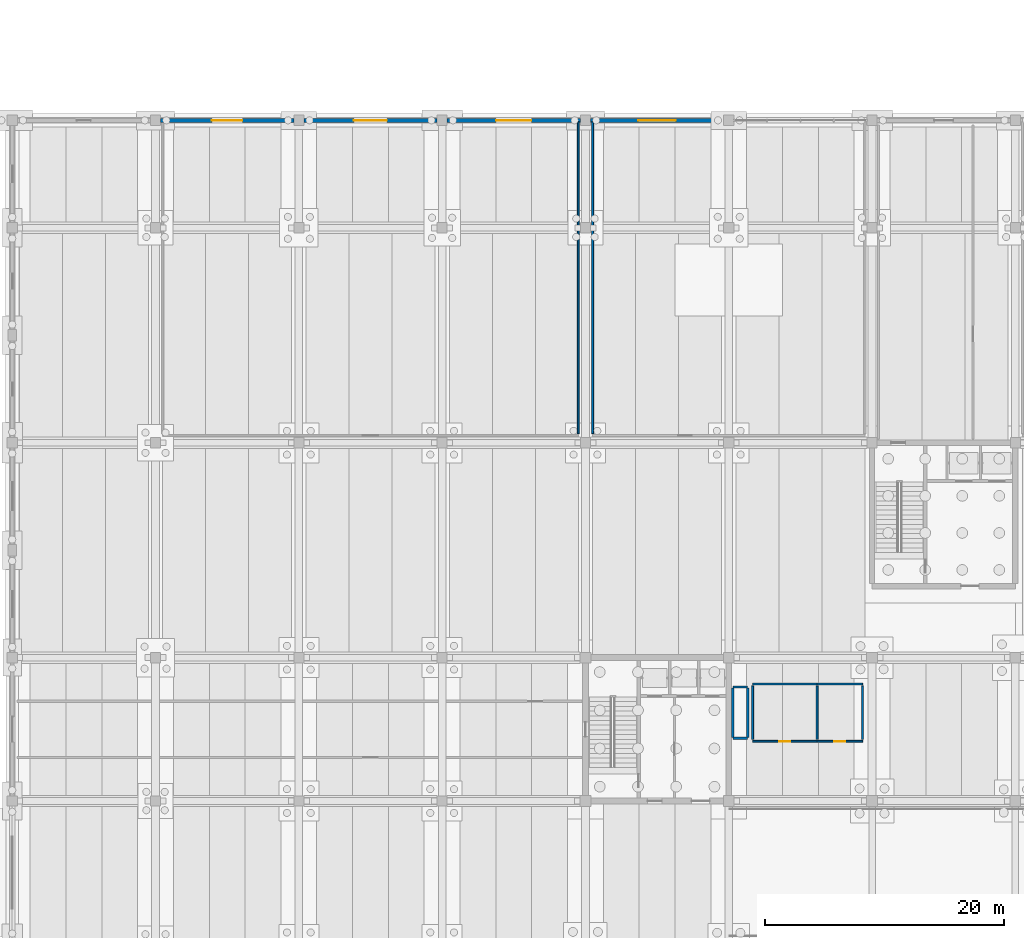
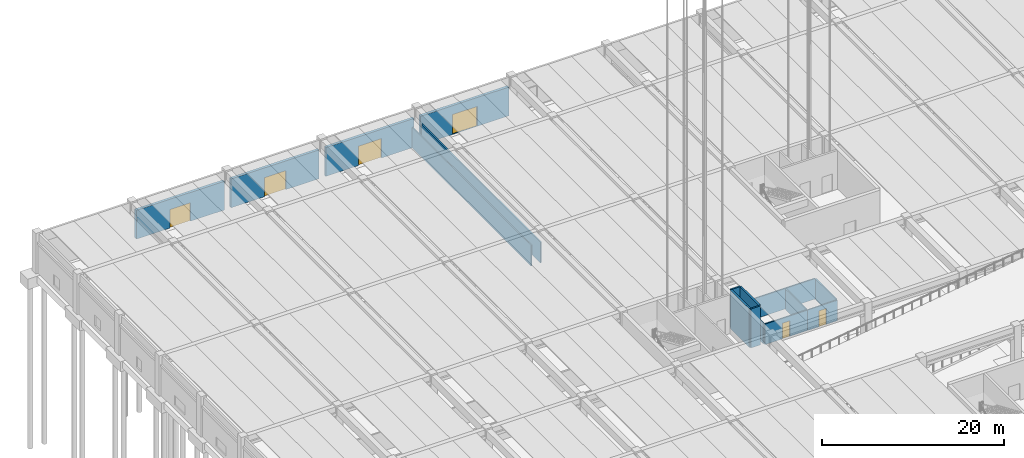
# One storey, part 28 of 59: 17 walls, 6 doors, 6 openings.
"""IFC4 building model written with IfcOpenShell, lengths in metres."""

from ifc_helpers import new_model, si_unit, direction, frame, frame_2d, origin, place, context, subcontext, project, spatial, rectangle, extrude, material, layer, layer_set, type_object, element, fill, save


model = new_model("IFC4")

# Units and contexts
model_context = context("Model", 3, precision=1e-05, world=origin(), true_north=direction((0.0, 1.0)))
body_context = subcontext(model_context, "Body", "Model", "MODEL_VIEW")
ifc_project = project(units=[si_unit("LENGTHUNIT", "METRE"), si_unit("AREAUNIT", "SQUARE_METRE"), si_unit("VOLUMEUNIT", "CUBIC_METRE"), si_unit("PLANEANGLEUNIT", "RADIAN"), si_unit("MASSUNIT", "GRAM", prefix="KILO")], contexts=[model_context])

# Site, building, storey
site_placement = place(None, origin())
site = spatial("IfcSite", under=ifc_project, at=site_placement, CompositionType="ELEMENT")
building_placement = place(site_placement, origin())
building = spatial("IfcBuilding", under=site, at=building_placement, Name="Girod Span Mobility Hub", CompositionType="ELEMENT")
storey_placement = place(building_placement, origin())
storey = spatial("IfcBuildingStorey", under=building, at=storey_placement, Name="L00", CompositionType="ELEMENT", Elevation=0.0)

# Wall, opening, door
ifc_material_1 = material(Name="Precast Architectural Concrete C40/50", Category="concrete")
ifc_layer_1 = layer(ifc_material_1, 0.340087890625)
ifc_layer_set_1 = layer_set([ifc_layer_1], Name="Precast Architectural Concrete C40/50")
wall_type_1 = type_object("IfcWallType", Name="W-EXT-340", PredefinedType="SOLIDWALL", material=ifc_layer_set_1)
wall_1_placement = place(storey_placement, frame((12.423095703125, 114.0, 0.0), z_axis=(0.0, 0.0, 1.0), x_axis=(1.0, 0.0, 0.0)))
wall_1 = element("IfcWall", 1, at=wall_1_placement, inside=storey, type_object=wall_type_1, Name="Exterior Insulated Precast Wall N-2 L00", PredefinedType="SOLIDWALL", context=body_context, shape_type="SweptSolid", body=[
    extrude(rectangle(XDim=11.15380859375, YDim=0.340087890625, at=frame_2d((5.576904296875, 0.0))), origin(), (0.0, 0.0, 1.0), 3.85009765625),
])
opening_1_placement = place(wall_1_placement, frame((4.297119140625, 0.0, 0.0)))
opening_1 = element("IfcOpeningElement", 2, at=opening_1_placement, cuts=wall_1, Name="Opening G-L00-N01", PredefinedType="OPENING", context=body_context, shape_type="SweptSolid", body=[
    extrude(rectangle(XDim=2.56005859375, YDim=2.47998046875, at=frame_2d((1.280029296875, 1.239990234375))), frame((0.0, 0.18505859375, 0.0), z_axis=(0.0, -1.0, 0.0), x_axis=(1.0, 0.0, 0.0)), (0.0, 0.0, 1.0), 0.3701171875),
])
ifc_material_2 = material(Name="Thermally Broken Anodised Aluminium", Category="aluminium")
door_type_1 = type_object("IfcDoorType", Name="DR-EXT-10", OperationType="DOUBLE_DOOR_SINGLE_SWING", PredefinedType="GATE", material=ifc_material_2)
door_1_placement = place(opening_1_placement, origin())
door_1 = element("IfcDoor", 3, at=door_1_placement, inside=storey, type_object=door_type_1, Name="North Greenway Bicycle Hub Gate 1", OperationType="DOUBLE_DOOR_SINGLE_SWING", OverallHeight=2.47998046875, OverallWidth=2.56005859375, PredefinedType="GATE", context=body_context, shape_type="SweptSolid", body=[
    extrude(rectangle(XDim=2.56005859375, YDim=2.47998046875, at=frame_2d((1.280029296875, 1.239990234375))), frame((0.0, 0.02490234375, 0.0), z_axis=(0.0, -1.0, 0.0), x_axis=(1.0, 0.0, 0.0)), (0.0, 0.0, 1.0), 0.050048828125),
])
fill(opening_1, door_1)

wall_2_placement = place(storey_placement, frame((24.423095703125, 114.0, 0.0), z_axis=(0.0, 0.0, 1.0), x_axis=(1.0, 0.0, 0.0)))
wall_2 = element("IfcWall", 4, at=wall_2_placement, inside=storey, type_object=wall_type_1, Name="Exterior Insulated Precast Wall N-3 L00", PredefinedType="SOLIDWALL", context=body_context, shape_type="SweptSolid", body=[
    extrude(rectangle(XDim=11.15380859375, YDim=0.340087890625, at=frame_2d((5.576904296875, 0.0))), origin(), (0.0, 0.0, 1.0), 3.85009765625),
])
opening_2_placement = place(wall_2_placement, frame((4.197021484375, 0.0, 0.0)))
opening_2 = element("IfcOpeningElement", 5, at=opening_2_placement, cuts=wall_2, Name="Opening G-L00-N02", PredefinedType="OPENING", context=body_context, shape_type="SweptSolid", body=[
    extrude(rectangle(XDim=2.760009765625, YDim=2.5400390625, at=frame_2d((1.3798828125, 1.27001953125))), frame((0.0, 0.18505859375, 0.0), z_axis=(0.0, -1.0, 0.0), x_axis=(1.0, 0.0, 0.0)), (0.0, 0.0, 1.0), 0.3701171875),
])
ifc_material_3 = material(Name="Thermally Broken Anodised Aluminium", Category="aluminium")
door_type_2 = type_object("IfcDoorType", Name="DR-EXT-11", OperationType="DOUBLE_DOOR_SINGLE_SWING", PredefinedType="GATE", material=ifc_material_3)
door_2_placement = place(opening_2_placement, origin())
door_2 = element("IfcDoor", 6, at=door_2_placement, inside=storey, type_object=door_type_2, Name="North Greenway Bicycle Hub Gate 2", OperationType="DOUBLE_DOOR_SINGLE_SWING", OverallHeight=2.5400390625, OverallWidth=2.760009765625, PredefinedType="GATE", context=body_context, shape_type="SweptSolid", body=[
    extrude(rectangle(XDim=2.760009765625, YDim=2.5400390625, at=frame_2d((1.3798828125, 1.27001953125))), frame((0.0, 0.02490234375, 0.0), z_axis=(0.0, -1.0, 0.0), x_axis=(1.0, 0.0, 0.0)), (0.0, 0.0, 1.0), 0.050048828125),
])
fill(opening_2, door_2)

wall_3_placement = place(storey_placement, frame((36.423095703125, 114.0, 0.0), z_axis=(0.0, 0.0, 1.0), x_axis=(1.0, 0.0, 0.0)))
wall_3 = element("IfcWall", 7, at=wall_3_placement, inside=storey, type_object=wall_type_1, Name="Exterior Insulated Precast Wall N-4 L00", PredefinedType="SOLIDWALL", context=body_context, shape_type="SweptSolid", body=[
    extrude(rectangle(XDim=11.15380859375, YDim=0.340087890625, at=frame_2d((5.576904296875, 0.0))), origin(), (0.0, 0.0, 1.0), 3.85009765625),
])
opening_3_placement = place(wall_3_placement, frame((4.096923828125, 0.0, 0.0)))
opening_3 = element("IfcOpeningElement", 8, at=opening_3_placement, cuts=wall_3, Name="Opening G-L00-N03", PredefinedType="OPENING", context=body_context, shape_type="SweptSolid", body=[
    extrude(rectangle(XDim=2.9599609375, YDim=2.60009765625, at=frame_2d((1.47998046875, 1.300048828125))), frame((0.0, 0.18505859375, 0.0), z_axis=(0.0, -1.0, 0.0), x_axis=(1.0, 0.0, 0.0)), (0.0, 0.0, 1.0), 0.3701171875),
])
ifc_material_4 = material(Name="Thermally Broken Anodised Aluminium", Category="aluminium")
door_type_3 = type_object("IfcDoorType", Name="DR-EXT-12", OperationType="DOUBLE_DOOR_SINGLE_SWING", PredefinedType="GATE", material=ifc_material_4)
door_3_placement = place(opening_3_placement, origin())
door_3 = element("IfcDoor", 9, at=door_3_placement, inside=storey, type_object=door_type_3, Name="North Greenway Bicycle Hub Gate 3", OperationType="DOUBLE_DOOR_SINGLE_SWING", OverallHeight=2.60009765625, OverallWidth=2.9599609375, PredefinedType="GATE", context=body_context, shape_type="SweptSolid", body=[
    extrude(rectangle(XDim=2.9599609375, YDim=2.60009765625, at=frame_2d((1.47998046875, 1.300048828125))), frame((0.0, 0.02490234375, 0.0), z_axis=(0.0, -1.0, 0.0), x_axis=(1.0, 0.0, 0.0)), (0.0, 0.0, 1.0), 0.050048828125),
])
fill(opening_3, door_3)

wall_4_placement = place(storey_placement, frame((48.423095703125, 114.0, 0.0), z_axis=(0.0, 0.0, 1.0), x_axis=(1.0, 0.0, 0.0)))
wall_4 = element("IfcWall", 10, at=wall_4_placement, inside=storey, type_object=wall_type_1, Name="Exterior Insulated Precast Wall N-5 L00", PredefinedType="SOLIDWALL", context=body_context, shape_type="SweptSolid", body=[
    extrude(rectangle(XDim=11.15380859375, YDim=0.340087890625, at=frame_2d((5.576904296875, 0.0))), origin(), (0.0, 0.0, 1.0), 3.85009765625),
])
opening_4_placement = place(wall_4_placement, frame((3.9970703125, 0.0, 0.0)))
opening_4 = element("IfcOpeningElement", 11, at=opening_4_placement, cuts=wall_4, Name="Opening G-L00-N04", PredefinedType="OPENING", context=body_context, shape_type="SweptSolid", body=[
    extrude(rectangle(XDim=3.159912109375, YDim=2.659912109375, at=frame_2d((1.580078125, 1.330078125))), frame((0.0, 0.18505859375, 0.0), z_axis=(0.0, -1.0, 0.0), x_axis=(1.0, 0.0, 0.0)), (0.0, 0.0, 1.0), 0.3701171875),
])
ifc_material_5 = material(Name="Thermally Broken Anodised Aluminium", Category="aluminium")
door_type_4 = type_object("IfcDoorType", Name="DR-EXT-13", OperationType="DOUBLE_DOOR_SINGLE_SWING", PredefinedType="GATE", material=ifc_material_5)
door_4_placement = place(opening_4_placement, origin())
door_4 = element("IfcDoor", 12, at=door_4_placement, inside=storey, type_object=door_type_4, Name="North Greenway Bicycle Hub Gate 4", OperationType="DOUBLE_DOOR_SINGLE_SWING", OverallHeight=2.659912109375, OverallWidth=3.159912109375, PredefinedType="GATE", context=body_context, shape_type="SweptSolid", body=[
    extrude(rectangle(XDim=3.159912109375, YDim=2.659912109375, at=frame_2d((1.580078125, 1.330078125))), frame((0.0, 0.02490234375, 0.0), z_axis=(0.0, -1.0, 0.0), x_axis=(1.0, 0.0, 0.0)), (0.0, 0.0, 1.0), 0.050048828125),
])
fill(opening_4, door_4)

# Wall
ifc_material_6 = material(Name="Fire-Rated Gypsum Board on Metal Studs", Category="gypsum")
ifc_layer_2 = layer(ifc_material_6, 0.1650390625)
ifc_layer_set_2 = layer_set([ifc_layer_2], Name="Fire-Rated Gypsum Board on Metal Studs")
wall_type_2 = type_object("IfcWallType", Name="W-FP-165", PredefinedType="PARTITIONING", material=ifc_layer_set_2)
wall_5_placement = place(storey_placement, frame((48.60009765625, 87.760009765625, 0.0), z_axis=(0.0, 0.0, 1.0), x_axis=(0.0, 1.0, 0.0)))
element("IfcWall", 13, at=wall_5_placement, inside=storey, type_object=wall_type_2, Name="Bicycle Repair Shop Partition W", PredefinedType="PARTITIONING", context=body_context, shape_type="SweptSolid", body=[
    extrude(rectangle(XDim=26.10009765625, YDim=0.1650390625, at=frame_2d((13.050048828125, 0.0))), origin(), (0.0, 0.0, 1.0), 2.75),
])

# Wall, opening, door
ifc_material_7 = material(Name="Fire-Rated Gypsum Board on Metal Studs", Category="gypsum")
ifc_layer_3 = layer(ifc_material_7, 0.155029296875)
ifc_layer_set_3 = layer_set([ifc_layer_3], Name="Fire-Rated Gypsum Board on Metal Studs")
wall_type_3 = type_object("IfcWallType", Name="W-PLB-155", PredefinedType="PLUMBINGWALL", material=ifc_layer_set_3)
wall_6_placement = place(storey_placement, frame((62.0, 62.0, 0.0), z_axis=(0.0, 0.0, 1.0), x_axis=(1.0, 0.0, 0.0)))
wall_6 = element("IfcWall", 14, at=wall_6_placement, inside=storey, type_object=wall_type_3, Name="Restroom L00 Partition S", PredefinedType="PLUMBINGWALL", context=body_context, shape_type="SweptSolid", body=[
    extrude(rectangle(XDim=5.39990234375, YDim=0.155029296875, at=frame_2d((2.699951171875, 0.0))), origin(), (0.0, 0.0, 1.0), 2.75),
])
opening_5_placement = place(wall_6_placement, frame((2.239990234375, 0.0, 0.0)))
opening_5 = element("IfcOpeningElement", 15, at=opening_5_placement, cuts=wall_6, Name="Opening D-L00-WC-MAIN", PredefinedType="OPENING", context=body_context, shape_type="SweptSolid", body=[
    extrude(rectangle(XDim=0.919921875, YDim=2.10009765625, at=frame_2d((0.4599609375, 1.050048828125))), frame((0.0, 0.092529296875, 0.0), z_axis=(0.0, -1.0, 0.0), x_axis=(1.0, 0.0, 0.0)), (0.0, 0.0, 1.0), 0.18505859375),
])
ifc_material_8 = material(Name="Solid-Core Architectural Timber", Category="wood")
door_type_5 = type_object("IfcDoorType", Name="DT-NR-01", OperationType="NOTDEFINED", PredefinedType="DOOR", material=ifc_material_8)
door_5_placement = place(opening_5_placement, origin())
door_5 = element("IfcDoor", 16, at=door_5_placement, inside=storey, type_object=door_type_5, Name="Restroom L00 Door", OperationType="SINGLE_SWING_LEFT", OverallHeight=2.10009765625, OverallWidth=0.919921875, PredefinedType="DOOR", context=body_context, shape_type="SweptSolid", body=[
    extrude(rectangle(XDim=0.919921875, YDim=2.10009765625, at=frame_2d((0.4599609375, 1.050048828125))), frame((0.0, 0.02490234375, 0.0), z_axis=(0.0, -1.0, 0.0), x_axis=(1.0, 0.0, 0.0)), (0.0, 0.0, 1.0), 0.050048828125),
])
fill(opening_5, door_5)

# Walls
wall_7_placement = place(storey_placement, frame((62.0, 66.800048828125, 0.0), z_axis=(0.0, 0.0, 1.0), x_axis=(1.0, 0.0, 0.0)))
element("IfcWall", 17, at=wall_7_placement, inside=storey, type_object=wall_type_3, Name="Restroom L00 Partition N", PredefinedType="PLUMBINGWALL", context=body_context, shape_type="SweptSolid", body=[
    extrude(rectangle(XDim=5.39990234375, YDim=0.155029296875, at=frame_2d((2.699951171875, 0.0))), origin(), (0.0, 0.0, 1.0), 2.75),
])
for number, where, z_axis, x_axis, name in (
    (18, (62.0, 62.159912109375, 0.0), (0.0, 0.0, 1.0), (0.0, 1.0, 0.0), "Restroom L00 Partition W"),
    (19, (67.39990234375, 62.159912109375, 0.0), (0.0, 0.0, 1.0), (0.0, 1.0, 0.0), "Restroom L00 Partition E"),
):
    element("IfcWall", number, at=place(storey_placement, frame(where, z_axis=z_axis, x_axis=x_axis)), inside=storey, type_object=wall_type_3, Name=name, PredefinedType="PLUMBINGWALL", context=body_context, shape_type="SweptSolid", body=[
        extrude(rectangle(XDim=4.47998046875, YDim=0.155029296875, at=frame_2d((2.239990234375, 0.0))), origin(), (0.0, 0.0, 1.0), 2.75),
    ])

# Wall, opening, door
wall_8_placement = place(storey_placement, frame((67.39990234375, 62.0, 0.0), z_axis=(0.0, 0.0, 1.0), x_axis=(1.0, 0.0, 0.0)))
wall_8 = element("IfcWall", 20, at=wall_8_placement, inside=storey, type_object=wall_type_3, Name="Accessible WC L00 Partition S", PredefinedType="PLUMBINGWALL", context=body_context, shape_type="SweptSolid", body=[
    extrude(rectangle(XDim=3.800048828125, YDim=0.155029296875, at=frame_2d((1.89990234375, 0.0))), origin(), (0.0, 0.0, 1.0), 2.75),
])
opening_6_placement = place(wall_8_placement, frame((1.425048828125, 0.0, 0.0)))
opening_6 = element("IfcOpeningElement", 21, at=opening_6_placement, cuts=wall_8, Name="Opening D-L00-WC-ACC", PredefinedType="OPENING", context=body_context, shape_type="SweptSolid", body=[
    extrude(rectangle(XDim=0.949951171875, YDim=2.1298828125, at=frame_2d((0.47509765625, 1.06494140625))), frame((0.0, 0.092529296875, 0.0), z_axis=(0.0, -1.0, 0.0), x_axis=(1.0, 0.0, 0.0)), (0.0, 0.0, 1.0), 0.18505859375),
])
ifc_material_9 = material(Name="Solid-Core Architectural Timber", Category="wood")
door_type_6 = type_object("IfcDoorType", Name="DT-NR-02", OperationType="NOTDEFINED", PredefinedType="DOOR", material=ifc_material_9)
door_6_placement = place(opening_6_placement, origin())
door_6 = element("IfcDoor", 22, at=door_6_placement, inside=storey, type_object=door_type_6, Name="Accessible WC L00 Door", OperationType="SINGLE_SWING_RIGHT", OverallHeight=2.1298828125, OverallWidth=0.949951171875, PredefinedType="DOOR", context=body_context, shape_type="SweptSolid", body=[
    extrude(rectangle(XDim=0.949951171875, YDim=2.1298828125, at=frame_2d((0.47509765625, 1.06494140625))), frame((0.0, 0.02490234375, 0.0), z_axis=(0.0, -1.0, 0.0), x_axis=(1.0, 0.0, 0.0)), (0.0, 0.0, 1.0), 0.050048828125),
])
fill(opening_6, door_6)

# Walls
wall_9_placement = place(storey_placement, frame((67.39990234375, 66.800048828125, 0.0), z_axis=(0.0, 0.0, 1.0), x_axis=(1.0, 0.0, 0.0)))
element("IfcWall", 23, at=wall_9_placement, inside=storey, type_object=wall_type_3, Name="Accessible WC L00 Partition N", PredefinedType="PLUMBINGWALL", context=body_context, shape_type="SweptSolid", body=[
    extrude(rectangle(XDim=3.800048828125, YDim=0.155029296875, at=frame_2d((1.89990234375, 0.0))), origin(), (0.0, 0.0, 1.0), 2.75),
])
wall_10_placement = place(storey_placement, frame((71.199951171875, 62.159912109375, 0.0), z_axis=(0.0, 0.0, 1.0), x_axis=(0.0, 1.0, 0.0)))
element("IfcWall", 24, at=wall_10_placement, inside=storey, type_object=wall_type_3, Name="Accessible WC L00 Partition E", PredefinedType="PLUMBINGWALL", context=body_context, shape_type="SweptSolid", body=[
    extrude(rectangle(XDim=4.47998046875, YDim=0.155029296875, at=frame_2d((2.239990234375, 0.0))), origin(), (0.0, 0.0, 1.0), 2.75),
])
ifc_material_10 = material(Name="Fire-Rated Gypsum Board on Metal Studs", Category="gypsum")
ifc_layer_4 = layer(ifc_material_10, 0.139892578125)
ifc_layer_set_4 = layer_set([ifc_layer_4], Name="Fire-Rated Gypsum Board on Metal Studs")
wall_type_4 = type_object("IfcWallType", Name="W-PT-140", PredefinedType="PARTITIONING", material=ifc_layer_set_4)
wall_11_placement = place(storey_placement, frame((47.39990234375, 87.760009765625, 0.0), z_axis=(0.0, 0.0, 1.0), x_axis=(0.0, 1.0, 0.0)))
element("IfcWall", 25, at=wall_11_placement, inside=storey, type_object=wall_type_4, Name="Bicycle Store Partition E", PredefinedType="PARTITIONING", context=body_context, shape_type="SweptSolid", body=[
    extrude(rectangle(XDim=26.10009765625, YDim=0.139892578125, at=frame_2d((13.050048828125, 0.0))), origin(), (0.0, 0.0, 1.0), 2.75),
])
ifc_material_11 = material(Name="Concrete C40/50", Category="concrete")
ifc_layer_5 = layer(ifc_material_11, 0.199951171875)
ifc_layer_set_5 = layer_set([ifc_layer_5], Name="Concrete C40/50")
wall_type_5 = type_object("IfcWallType", Name="W-SH-200", PredefinedType="SOLIDWALL", material=ifc_layer_set_5)
for number, where, z_axis, x_axis, name in (
    (26, (60.346923828125, 62.25, 0.0), (0.0, 0.0, 1.0), (1.0, 0.0, 0.0), "Sanitary Wet Riser Shaft Wall S L00"),
    (27, (60.346923828125, 66.550048828125, 0.0), (0.0, 0.0, 1.0), (1.0, 0.0, 0.0), "Sanitary Wet Riser Shaft Wall N L00"),
):
    element("IfcWall", number, at=place(storey_placement, frame(where, z_axis=z_axis, x_axis=x_axis)), inside=storey, type_object=wall_type_5, Name=name, PredefinedType="SOLIDWALL", context=body_context, shape_type="SweptSolid", body=[
        extrude(rectangle(XDim=1.233154296875, YDim=0.199951171875, at=frame_2d((0.61669921875, 0.0))), origin(), (0.0, 0.0, 1.0), 5.202880859375),
    ])
for number, where, z_axis, x_axis, name in (
    (28, (60.346923828125, 62.330078125, 0.0), (0.0, 0.0, 1.0), (0.0, 1.0, 0.0), "Sanitary Wet Riser Shaft Wall W L00"),
    (29, (61.580078125, 62.330078125, 0.0), (0.0, 0.0, 1.0), (0.0, 1.0, 0.0), "Sanitary Wet Riser Shaft Wall E L00"),
):
    element("IfcWall", number, at=place(storey_placement, frame(where, z_axis=z_axis, x_axis=x_axis)), inside=storey, type_object=wall_type_5, Name=name, PredefinedType="SOLIDWALL", context=body_context, shape_type="SweptSolid", body=[
        extrude(rectangle(XDim=4.139892578125, YDim=0.199951171875, at=frame_2d((2.06982421875, 0.0))), origin(), (0.0, 0.0, 1.0), 5.202880859375),
    ])

save(model, "model.ifc")
